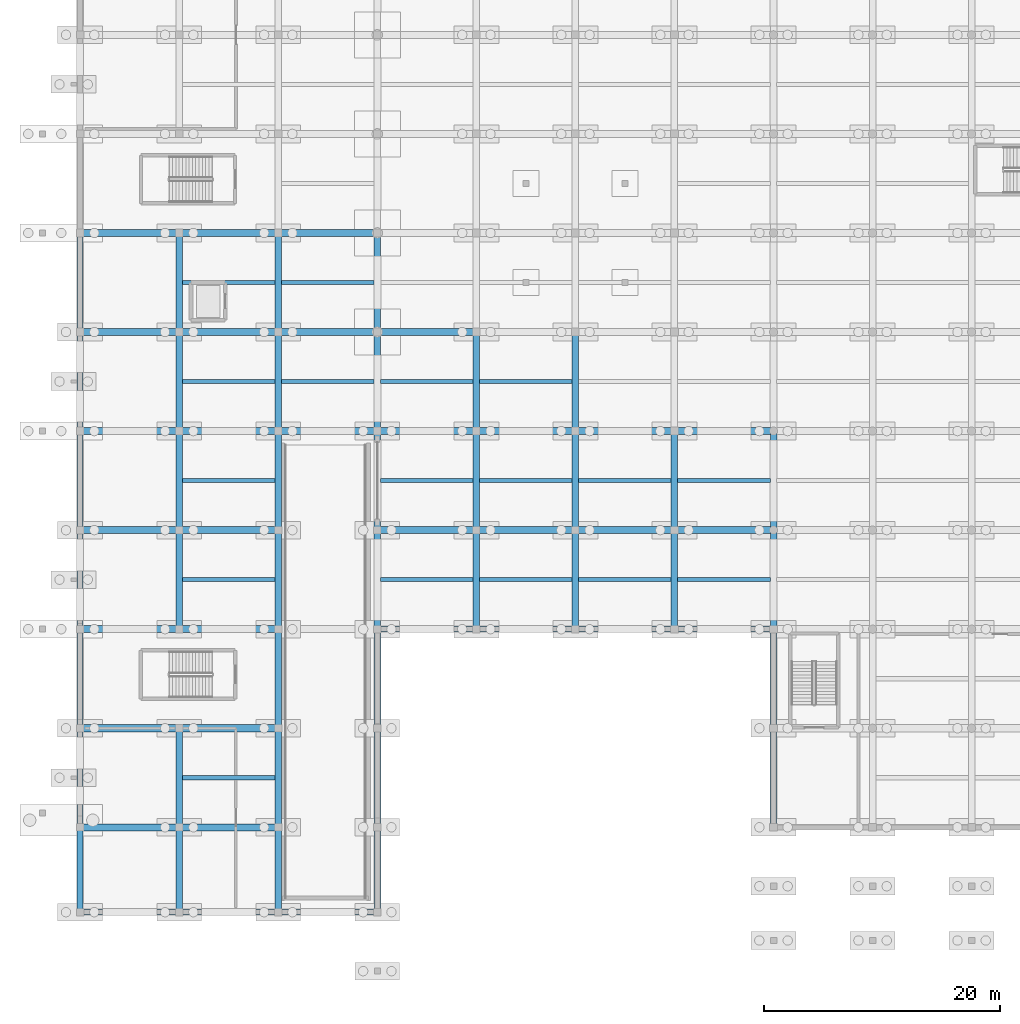
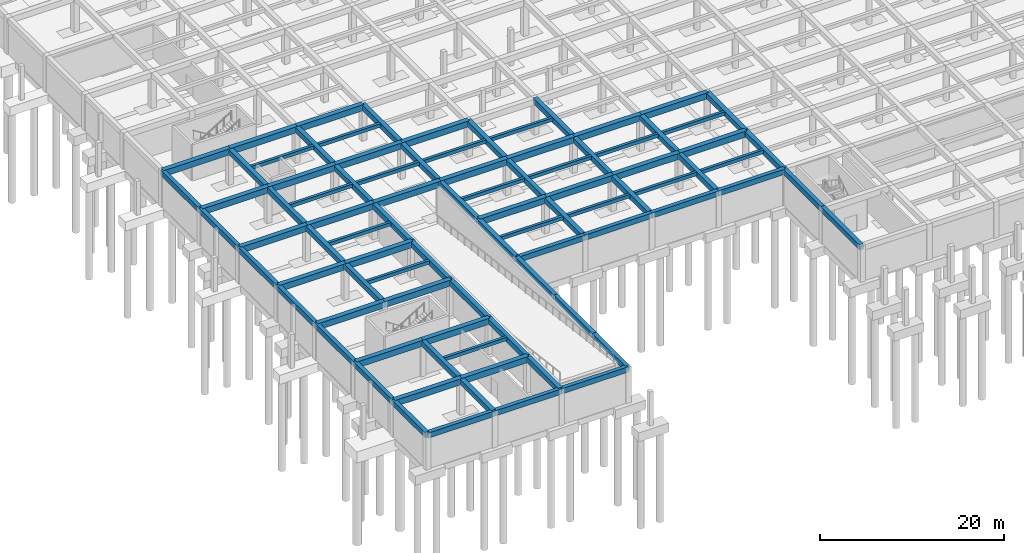
# One storey, part 15 of 51: 89 beams.
"""IFC4 building model written with IfcOpenShell, lengths in metres."""

import ifcopenshell
import ifcopenshell.guid

model = None  # the IFC model being written
_history = None  # IfcOwnerHistory: only IFC2X3 demands one
_inside = {}  # id of a spatial element -> (the spatial element, [elements in it])
_under = {}  # id of a project, library or spatial element -> (it, [spatial elements below it])
_declared = {}  # id of a project -> (the project, [libraries it declares])
_typed = {}  # id of a type object -> (the type object, [elements of that type])
_made_of = {}  # id of a material, layer set ... -> (it, [elements and type objects made of it])


def new_model(schema):
    """Start an empty IFC model of exactly this schema.

    Asked for "IFC4X3", IfcOpenShell would pick the latest addendum, in which some entities
    have other attributes; the version numbers below select the first issue.
    IFC2X3 requires an IfcOwnerHistory on every rooted entity: one is made here for all.
    """
    global model, _history
    if schema == "IFC4X3":
        model = ifcopenshell.file(schema_version=(4, 3, 0, 0))
    else:
        model = ifcopenshell.file(schema=schema)
    _inside.clear()
    _under.clear()
    _declared.clear()
    _typed.clear()
    _made_of.clear()
    _history = None
    if model.schema == "IFC2X3":
        org = make("IfcOrganization", Name="unknown")
        user = make(
            "IfcPersonAndOrganization",
            ThePerson=make("IfcPerson", FamilyName="unknown"),
            TheOrganization=org,
        )
        app = make(
            "IfcApplication",
            ApplicationDeveloper=org,
            Version="unknown",
            ApplicationFullName="unknown",
            ApplicationIdentifier="unknown",
        )
        _history = make(
            "IfcOwnerHistory",
            OwningUser=user,
            OwningApplication=app,
            ChangeAction="ADDED",
            CreationDate=0,
        )
    return model


def make(cls, **values):
    """One entity of the class cls with the attributes given. An attribute that is None is left unset."""
    return model.create_entity(
        cls, **{name: value for name, value in values.items() if value is not None}
    )


def rooted(cls, **values):
    """An entity with a GlobalId (a new one), such as an element, a storey or a relation."""
    return make(cls, GlobalId=ifcopenshell.guid.new(), OwnerHistory=_history, **values)


def si_unit(unit_type, name, prefix=None):
    """IfcSIUnit, for example si_unit("LENGTHUNIT", "METRE", prefix="MILLI")."""
    return make("IfcSIUnit", UnitType=unit_type, Prefix=prefix, Name=name)


def assignment(units):
    """IfcUnitAssignment: the units of a project."""
    return None if units is None else make("IfcUnitAssignment", Units=units)


def point(xyz):
    """IfcCartesianPoint."""
    return None if xyz is None else make("IfcCartesianPoint", Coordinates=xyz)


def direction(xyz):
    """IfcDirection."""
    return None if xyz is None else make("IfcDirection", DirectionRatios=xyz)


def frame(location, z_axis=None, x_axis=None):
    """IfcAxis2Placement3D, a coordinate frame: its origin and axes. An axis left out is left unset."""
    return make(
        "IfcAxis2Placement3D",
        Location=point(location),
        Axis=direction(z_axis),
        RefDirection=direction(x_axis),
    )


def frame_2d(location, x_axis=None):
    """IfcAxis2Placement2D, a coordinate frame in the plane: its origin and x axis."""
    return make(
        "IfcAxis2Placement2D", Location=point(location), RefDirection=direction(x_axis)
    )


def origin():
    """The frame at (0, 0, 0) with its axes left unset."""
    return frame((0.0, 0.0, 0.0))


def origin_2d():
    """The frame at (0, 0) in the plane with its x axis left unset."""
    return frame_2d((0.0, 0.0))


def place(relative_to, where):
    """IfcLocalPlacement: puts the frame where relative to a parent placement (None: the world)."""
    return make(
        "IfcLocalPlacement", PlacementRelTo=relative_to, RelativePlacement=where
    )


def context(
    kind, dimensions, precision=None, world=None, true_north=None, identifier=None
):
    """IfcGeometricRepresentationContext, for example the 3D "Model" context."""
    return make(
        "IfcGeometricRepresentationContext",
        ContextIdentifier=identifier,
        ContextType=kind,
        CoordinateSpaceDimension=dimensions,
        Precision=precision,
        WorldCoordinateSystem=world,
        TrueNorth=true_north,
    )


def subcontext(parent, identifier, kind, view, scale=None):
    """IfcGeometricRepresentationSubContext, for example "Body" below "Model"."""
    return make(
        "IfcGeometricRepresentationSubContext",
        ContextIdentifier=identifier,
        ContextType=kind,
        ParentContext=parent,
        TargetScale=scale,
        TargetView=view,
    )


def project(units=None, contexts=None):
    """IfcProject with its units and contexts."""
    return rooted(
        "IfcProject",
        Name="project",
        RepresentationContexts=contexts,
        UnitsInContext=assignment(units),
    )


def spatial(cls, under=None, at=None, **own):
    """A site, building, storey or space (cls), placed at a placement, below another one or the project."""
    s = rooted(cls, ObjectPlacement=at, **own)
    if under is not None:
        _under.setdefault(under.id(), (under, []))[1].append(s)
    return s


def profile(cls, at=None, kind="AREA", **sizes):
    """A parametric profile (cls). Its sizes go by their IFC names, for example OverallWidth=200.0."""
    return make(cls, ProfileType=kind, Position=at, **sizes)


def rectangle(**sizes):
    """IfcRectangleProfileDef."""
    return profile("IfcRectangleProfileDef", **sizes)


def extrude(swept, where, along, depth):
    """IfcExtrudedAreaSolid: the profile swept, set in the frame where, extruded along a direction by depth."""
    return make(
        "IfcExtrudedAreaSolid",
        SweptArea=swept,
        Position=where,
        ExtrudedDirection=direction(along),
        Depth=depth,
    )


def shape(context_of_items, identifier, shape_type, items):
    """IfcShapeRepresentation: the items that make up one representation, for example the "Body"."""
    return make(
        "IfcShapeRepresentation",
        ContextOfItems=context_of_items,
        RepresentationIdentifier=identifier,
        RepresentationType=shape_type,
        Items=items,
    )


def material(Name=None, Category=None):
    """IfcMaterial."""
    return make("IfcMaterial", Name=Name, Category=Category)


def material_profile(
    of_material, cross_section, Name=None, Category=None, Priority=None
):
    """IfcMaterialProfile: a cross section and its material."""
    return make(
        "IfcMaterialProfile",
        Name=Name,
        Material=of_material,
        Profile=cross_section,
        Priority=Priority,
        Category=Category,
    )


def profile_set(profiles, Name=None, composite=None):
    """IfcMaterialProfileSet."""
    return make(
        "IfcMaterialProfileSet",
        Name=Name,
        MaterialProfiles=profiles,
        CompositeProfile=composite,
    )


def made_of(thing, what):
    """Note that an element or type object is made of a material, layer set ...; save() writes the relation."""
    if what is not None:
        _made_of.setdefault(what.id(), (what, []))[1].append(thing)
    return thing


def type_object(cls, material=None, **own):
    """A type object (cls), such as IfcWallType, which elements share."""
    return made_of(rooted(cls, **own), material)


def element(
    cls,
    number,
    at=None,
    inside=None,
    cuts=None,
    type_object=None,
    material=None,
    context=None,
    identifier="Body",
    shape_type=None,
    held_by="IfcProductDefinitionShape",
    body=None,
    shapes=None,
    **own,
):
    """One element of the class cls, such as IfcWall. Its Tag is "e" and its number.

    at: its placement. inside: the storey or other place that contains it. cuts: it is an
    opening in that element (IfcRelVoidsElement). A single representation is given by context,
    identifier, shape_type and body (its items); several are given by shapes. held_by: the class
    of the entity that holds the representations. save() writes the other relations.
    """
    e = rooted(cls, Tag="e%d" % number, ObjectPlacement=at, **own)
    if body is not None:
        shapes = [shape(context, identifier, shape_type, body)]
    if shapes is not None:
        e.Representation = make(held_by, Representations=shapes)
    if inside is not None:
        _inside.setdefault(inside.id(), (inside, []))[1].append(e)
    if cuts is not None:
        rooted(
            "IfcRelVoidsElement", RelatingBuildingElement=cuts, RelatedOpeningElement=e
        )
    if type_object is not None:
        _typed.setdefault(type_object.id(), (type_object, []))[1].append(e)
    return made_of(e, material)


def aggregate(whole, parts):
    """IfcRelAggregates: a whole, such as a stair, and the parts it consists of."""
    return rooted("IfcRelAggregates", RelatingObject=whole, RelatedObjects=parts)


def save(model, path):
    """Write the relations noted so far, then the file.

    IfcRelAggregates (storeys below a building ...), IfcRelContainedInSpatialStructure (elements
    in a storey), IfcRelDefinesByType, IfcRelAssociatesMaterial and IfcRelDeclares: one each for
    every whole, place, type object, material and project.
    """
    for whole, parts in _under.values():
        aggregate(whole, parts)
    for where, things in _inside.values():
        rooted(
            "IfcRelContainedInSpatialStructure",
            RelatedElements=things,
            RelatingStructure=where,
        )
    for kind, things in _typed.values():
        rooted("IfcRelDefinesByType", RelatedObjects=things, RelatingType=kind)
    for what, things in _made_of.values():
        rooted("IfcRelAssociatesMaterial", RelatedObjects=things, RelatingMaterial=what)
    for by, libraries in _declared.values():
        rooted("IfcRelDeclares", RelatingContext=by, RelatedDefinitions=libraries)
    model.write(path)


model = new_model("IFC4")

# Units and contexts
model_context = context("Model", 3, precision=1e-05, world=origin(), true_north=direction((0.0, 1.0)))
body_context = subcontext(model_context, "Body", "Model", "MODEL_VIEW")
ifc_project = project(units=[si_unit("LENGTHUNIT", "METRE"), si_unit("AREAUNIT", "SQUARE_METRE"), si_unit("VOLUMEUNIT", "CUBIC_METRE"), si_unit("PLANEANGLEUNIT", "RADIAN"), si_unit("MASSUNIT", "GRAM", prefix="KILO")], contexts=[model_context])

# Site, building, storey
site_placement = place(None, origin())
site = spatial("IfcSite", under=ifc_project, at=site_placement, CompositionType="ELEMENT")
building_placement = place(site_placement, origin())
building = spatial("IfcBuilding", under=site, at=building_placement, Name="Varncliffe General Hospital", CompositionType="ELEMENT")
storey_placement = place(building_placement, frame((0.0, 0.0, -4.800048828125)))
storey = spatial("IfcBuildingStorey", under=building, at=storey_placement, Name="B1", CompositionType="ELEMENT", Elevation=-4.800048828125)

# Beams
ifc_material = material(Name="Concrete C35/45 (CSA A23.1 35 MPa)", Category="concrete")
ifc_material_profile_1 = material_profile(ifc_material, rectangle(XDim=0.550048828125, YDim=0.699951171875, at=origin_2d()), Name="RC 550x700")
ifc_profile_set_1 = profile_set([ifc_material_profile_1], Name="Concrete C35/45 (CSA A23.1 35 MPa)")
beam_type_1 = type_object("IfcBeamType", Name="Beam B35 (Int RC 550x700)", PredefinedType="BEAM", material=ifc_profile_set_1)
beam_1_placement = place(storey_placement, frame((8.39990234375, 0.0, 4.449951171875), z_axis=(0.0, 1.0, 0.0), x_axis=(-1.0, 0.0, 0.0)))
element("IfcBeam", 1, at=beam_1_placement, inside=storey, type_object=beam_type_1, Name="B1 Primary Beam B35-339", PredefinedType="BEAM", context=body_context, shape_type="SweptSolid", body=[
    extrude(rectangle(XDim=0.550048828125, YDim=0.699951171875, at=origin_2d()), origin(), (0.0, 0.0, 1.0), 7.199951171875),
])
beam_2_placement = place(storey_placement, frame((8.39990234375, 7.199951171875, 4.449951171875), z_axis=(0.0, 1.0, 0.0), x_axis=(-1.0, 0.0, 0.0)))
element("IfcBeam", 2, at=beam_2_placement, inside=storey, type_object=beam_type_1, Name="B1 Primary Beam B35-340", PredefinedType="BEAM", context=body_context, shape_type="SweptSolid", body=[
    extrude(rectangle(XDim=0.550048828125, YDim=0.699951171875, at=origin_2d()), origin(), (0.0, 0.0, 1.0), 8.400146484375),
])
beam_3_placement = place(storey_placement, frame((8.39990234375, 24.0, 4.449951171875), z_axis=(0.0, 1.0, 0.0), x_axis=(-1.0, 0.0, 0.0)))
element("IfcBeam", 3, at=beam_3_placement, inside=storey, type_object=beam_type_1, Name="B1 Primary Beam B35-341", PredefinedType="BEAM", context=body_context, shape_type="SweptSolid", body=[
    extrude(rectangle(XDim=0.550048828125, YDim=0.699951171875, at=origin_2d()), origin(), (0.0, 0.0, 1.0), 8.39990234375),
])
beam_4_placement = place(storey_placement, frame((8.39990234375, 32.39990234375, 4.449951171875), z_axis=(0.0, 1.0, 0.0), x_axis=(-1.0, 0.0, 0.0)))
element("IfcBeam", 4, at=beam_4_placement, inside=storey, type_object=beam_type_1, Name="B1 Primary Beam B35-342", PredefinedType="BEAM", context=body_context, shape_type="SweptSolid", body=[
    extrude(rectangle(XDim=0.550048828125, YDim=0.699951171875, at=origin_2d()), origin(), (0.0, 0.0, 1.0), 8.400146484375),
])
beam_5_placement = place(storey_placement, frame((8.39990234375, 40.800048828125, 4.449951171875), z_axis=(0.0, 1.0, 0.0), x_axis=(-1.0, 0.0, 0.0)))
element("IfcBeam", 5, at=beam_5_placement, inside=storey, type_object=beam_type_1, Name="B1 Primary Beam B35-343", PredefinedType="BEAM", context=body_context, shape_type="SweptSolid", body=[
    extrude(rectangle(XDim=0.550048828125, YDim=0.699951171875, at=origin_2d()), origin(), (0.0, 0.0, 1.0), 8.39990234375),
])
beam_6_placement = place(storey_placement, frame((8.39990234375, 49.199951171875, 4.449951171875), z_axis=(0.0, 1.0, 0.0), x_axis=(-1.0, 0.0, 0.0)))
element("IfcBeam", 6, at=beam_6_placement, inside=storey, type_object=beam_type_1, Name="B1 Primary Beam B35-344", PredefinedType="BEAM", context=body_context, shape_type="SweptSolid", body=[
    extrude(rectangle(XDim=0.550048828125, YDim=0.699951171875, at=origin_2d()), origin(), (0.0, 0.0, 1.0), 8.400146484375),
])
beam_7_placement = place(storey_placement, frame((16.800048828125, 0.0, 4.449951171875), z_axis=(0.0, 1.0, 0.0), x_axis=(-1.0, 0.0, 0.0)))
element("IfcBeam", 7, at=beam_7_placement, inside=storey, type_object=beam_type_1, Name="B1 Primary Beam B35-354", PredefinedType="BEAM", context=body_context, shape_type="SweptSolid", body=[
    extrude(rectangle(XDim=0.550048828125, YDim=0.699951171875, at=origin_2d()), origin(), (0.0, 0.0, 1.0), 7.199951171875),
])
beam_8_placement = place(storey_placement, frame((16.800048828125, 7.199951171875, 4.449951171875), z_axis=(0.0, 1.0, 0.0), x_axis=(-1.0, 0.0, 0.0)))
element("IfcBeam", 8, at=beam_8_placement, inside=storey, type_object=beam_type_1, Name="B1 Primary Beam B35-355", PredefinedType="BEAM", context=body_context, shape_type="SweptSolid", body=[
    extrude(rectangle(XDim=0.550048828125, YDim=0.699951171875, at=origin_2d()), origin(), (0.0, 0.0, 1.0), 8.400146484375),
])
for number, where, z_axis, x_axis, name in (
    (9, (16.800048828125, 15.60009765625, 4.449951171875), (0.0, 1.0, 0.0), (-1.0, 0.0, 0.0), "B1 Primary Beam B35-356"),
    (10, (16.800048828125, 24.0, 4.449951171875), (0.0, 1.0, 0.0), (-1.0, 0.0, 0.0), "B1 Primary Beam B35-357"),
):
    element("IfcBeam", number, at=place(storey_placement, frame(where, z_axis=z_axis, x_axis=x_axis)), inside=storey, type_object=beam_type_1, Name=name, PredefinedType="BEAM", context=body_context, shape_type="SweptSolid", body=[
        extrude(rectangle(XDim=0.550048828125, YDim=0.699951171875, at=origin_2d()), origin(), (0.0, 0.0, 1.0), 8.39990234375),
    ])
beam_9_placement = place(storey_placement, frame((16.800048828125, 32.39990234375, 4.449951171875), z_axis=(0.0, 1.0, 0.0), x_axis=(-1.0, 0.0, 0.0)))
element("IfcBeam", 11, at=beam_9_placement, inside=storey, type_object=beam_type_1, Name="B1 Primary Beam B35-358", PredefinedType="BEAM", context=body_context, shape_type="SweptSolid", body=[
    extrude(rectangle(XDim=0.550048828125, YDim=0.699951171875, at=origin_2d()), origin(), (0.0, 0.0, 1.0), 8.400146484375),
])
beam_10_placement = place(storey_placement, frame((16.800048828125, 40.800048828125, 4.449951171875), z_axis=(0.0, 1.0, 0.0), x_axis=(-1.0, 0.0, 0.0)))
element("IfcBeam", 12, at=beam_10_placement, inside=storey, type_object=beam_type_1, Name="B1 Primary Beam B35-359", PredefinedType="BEAM", context=body_context, shape_type="SweptSolid", body=[
    extrude(rectangle(XDim=0.550048828125, YDim=0.699951171875, at=origin_2d()), origin(), (0.0, 0.0, 1.0), 8.39990234375),
])
beam_11_placement = place(storey_placement, frame((16.800048828125, 49.199951171875, 4.449951171875), z_axis=(0.0, 1.0, 0.0), x_axis=(-1.0, 0.0, 0.0)))
element("IfcBeam", 13, at=beam_11_placement, inside=storey, type_object=beam_type_1, Name="B1 Primary Beam B35-360", PredefinedType="BEAM", context=body_context, shape_type="SweptSolid", body=[
    extrude(rectangle(XDim=0.550048828125, YDim=0.699951171875, at=origin_2d()), origin(), (0.0, 0.0, 1.0), 8.400146484375),
])
beam_12_placement = place(storey_placement, frame((25.199951171875, 24.0, 4.449951171875), z_axis=(0.0, 1.0, 0.0), x_axis=(-1.0, 0.0, 0.0)))
element("IfcBeam", 14, at=beam_12_placement, inside=storey, type_object=beam_type_1, Name="B1 Primary Beam B35-374", PredefinedType="BEAM", context=body_context, shape_type="SweptSolid", body=[
    extrude(rectangle(XDim=0.550048828125, YDim=0.699951171875, at=origin_2d()), origin(), (0.0, 0.0, 1.0), 8.39990234375),
])
beam_13_placement = place(storey_placement, frame((25.199951171875, 32.39990234375, 4.449951171875), z_axis=(0.0, 1.0, 0.0), x_axis=(-1.0, 0.0, 0.0)))
element("IfcBeam", 15, at=beam_13_placement, inside=storey, type_object=beam_type_1, Name="B1 Primary Beam B35-375", PredefinedType="BEAM", context=body_context, shape_type="SweptSolid", body=[
    extrude(rectangle(XDim=0.550048828125, YDim=0.699951171875, at=origin_2d()), origin(), (0.0, 0.0, 1.0), 8.400146484375),
])
beam_14_placement = place(storey_placement, frame((25.199951171875, 40.800048828125, 4.449951171875), z_axis=(0.0, 1.0, 0.0), x_axis=(-1.0, 0.0, 0.0)))
element("IfcBeam", 16, at=beam_14_placement, inside=storey, type_object=beam_type_1, Name="B1 Primary Beam B35-376", PredefinedType="BEAM", context=body_context, shape_type="SweptSolid", body=[
    extrude(rectangle(XDim=0.550048828125, YDim=0.699951171875, at=origin_2d()), origin(), (0.0, 0.0, 1.0), 8.39990234375),
])
beam_15_placement = place(storey_placement, frame((25.199951171875, 49.199951171875, 4.449951171875), z_axis=(0.0, 1.0, 0.0), x_axis=(-1.0, 0.0, 0.0)))
element("IfcBeam", 17, at=beam_15_placement, inside=storey, type_object=beam_type_1, Name="B1 Primary Beam B35-377", PredefinedType="BEAM", context=body_context, shape_type="SweptSolid", body=[
    extrude(rectangle(XDim=0.550048828125, YDim=0.699951171875, at=origin_2d()), origin(), (0.0, 0.0, 1.0), 8.400146484375),
])
beam_16_placement = place(storey_placement, frame((33.60009765625, 24.0, 4.449951171875), z_axis=(0.0, 1.0, 0.0), x_axis=(-1.0, 0.0, 0.0)))
element("IfcBeam", 18, at=beam_16_placement, inside=storey, type_object=beam_type_1, Name="B1 Primary Beam B35-388", PredefinedType="BEAM", context=body_context, shape_type="SweptSolid", body=[
    extrude(rectangle(XDim=0.550048828125, YDim=0.699951171875, at=origin_2d()), origin(), (0.0, 0.0, 1.0), 8.39990234375),
])
beam_17_placement = place(storey_placement, frame((33.60009765625, 32.39990234375, 4.449951171875), z_axis=(0.0, 1.0, 0.0), x_axis=(-1.0, 0.0, 0.0)))
element("IfcBeam", 19, at=beam_17_placement, inside=storey, type_object=beam_type_1, Name="B1 Primary Beam B35-389", PredefinedType="BEAM", context=body_context, shape_type="SweptSolid", body=[
    extrude(rectangle(XDim=0.550048828125, YDim=0.699951171875, at=origin_2d()), origin(), (0.0, 0.0, 1.0), 8.400146484375),
])
for number, where, z_axis, x_axis, name in (
    (20, (33.60009765625, 40.800048828125, 4.449951171875), (0.0, 1.0, 0.0), (-1.0, 0.0, 0.0), "B1 Primary Beam B35-390"),
    (21, (42.0, 24.0, 4.449951171875), (0.0, 1.0, 0.0), (-1.0, 0.0, 0.0), "B1 Primary Beam B35-402"),
):
    element("IfcBeam", number, at=place(storey_placement, frame(where, z_axis=z_axis, x_axis=x_axis)), inside=storey, type_object=beam_type_1, Name=name, PredefinedType="BEAM", context=body_context, shape_type="SweptSolid", body=[
        extrude(rectangle(XDim=0.550048828125, YDim=0.699951171875, at=origin_2d()), origin(), (0.0, 0.0, 1.0), 8.39990234375),
    ])
beam_18_placement = place(storey_placement, frame((42.0, 32.39990234375, 4.449951171875), z_axis=(0.0, 1.0, 0.0), x_axis=(-1.0, 0.0, 0.0)))
element("IfcBeam", 22, at=beam_18_placement, inside=storey, type_object=beam_type_1, Name="B1 Primary Beam B35-403", PredefinedType="BEAM", context=body_context, shape_type="SweptSolid", body=[
    extrude(rectangle(XDim=0.550048828125, YDim=0.699951171875, at=origin_2d()), origin(), (0.0, 0.0, 1.0), 8.400146484375),
])
for number, where, z_axis, x_axis, name in (
    (23, (42.0, 40.800048828125, 4.449951171875), (0.0, 1.0, 0.0), (-1.0, 0.0, 0.0), "B1 Primary Beam B35-404"),
    (24, (50.39990234375, 24.0, 4.449951171875), (0.0, 1.0, 0.0), (-1.0, 0.0, 0.0), "B1 Primary Beam B35-416"),
):
    element("IfcBeam", number, at=place(storey_placement, frame(where, z_axis=z_axis, x_axis=x_axis)), inside=storey, type_object=beam_type_1, Name=name, PredefinedType="BEAM", context=body_context, shape_type="SweptSolid", body=[
        extrude(rectangle(XDim=0.550048828125, YDim=0.699951171875, at=origin_2d()), origin(), (0.0, 0.0, 1.0), 8.39990234375),
    ])
beam_19_placement = place(storey_placement, frame((50.39990234375, 32.39990234375, 4.449951171875), z_axis=(0.0, 1.0, 0.0), x_axis=(-1.0, 0.0, 0.0)))
element("IfcBeam", 25, at=beam_19_placement, inside=storey, type_object=beam_type_1, Name="B1 Primary Beam B35-417", PredefinedType="BEAM", context=body_context, shape_type="SweptSolid", body=[
    extrude(rectangle(XDim=0.550048828125, YDim=0.699951171875, at=origin_2d()), origin(), (0.0, 0.0, 1.0), 8.400146484375),
])
beam_20_placement = place(storey_placement, frame((58.800048828125, 24.0, 4.449951171875), z_axis=(0.0, 1.0, 0.0), x_axis=(-1.0, 0.0, 0.0)))
element("IfcBeam", 26, at=beam_20_placement, inside=storey, type_object=beam_type_1, Name="B1 Primary Beam B35-432", PredefinedType="BEAM", context=body_context, shape_type="SweptSolid", body=[
    extrude(rectangle(XDim=0.550048828125, YDim=0.699951171875, at=origin_2d()), origin(), (0.0, 0.0, 1.0), 8.39990234375),
])
beam_21_placement = place(storey_placement, frame((58.800048828125, 32.39990234375, 4.449951171875), z_axis=(0.0, 1.0, 0.0), x_axis=(-1.0, 0.0, 0.0)))
element("IfcBeam", 27, at=beam_21_placement, inside=storey, type_object=beam_type_1, Name="B1 Primary Beam B35-433", PredefinedType="BEAM", context=body_context, shape_type="SweptSolid", body=[
    extrude(rectangle(XDim=0.550048828125, YDim=0.699951171875, at=origin_2d()), origin(), (0.0, 0.0, 1.0), 8.400146484375),
])
ifc_material_profile_2 = material_profile(ifc_material, rectangle(XDim=0.60009765625, YDim=0.800048828125, at=origin_2d()), Name="RC 600x800")
ifc_profile_set_2 = profile_set([ifc_material_profile_2], Name="Concrete C35/45 (CSA A23.1 35 MPa)")
beam_type_2 = type_object("IfcBeamType", Name="Beam B40 (Int RC 600x800)", PredefinedType="BEAM", material=ifc_profile_set_2)
beam_22_placement = place(storey_placement, frame((0.0, 7.199951171875, 4.400146484375), z_axis=(1.0, 0.0, 0.0), x_axis=(0.0, 1.0, 0.0)))
element("IfcBeam", 28, at=beam_22_placement, inside=storey, type_object=beam_type_2, Name="B1 Primary Beam B40-7", PredefinedType="BEAM", context=body_context, shape_type="SweptSolid", body=[
    extrude(rectangle(XDim=0.60009765625, YDim=0.800048828125, at=origin_2d()), origin(), (0.0, 0.0, 1.0), 8.39990234375),
])
beam_23_placement = place(storey_placement, frame((8.39990234375, 7.199951171875, 4.400146484375), z_axis=(1.0, 0.0, 0.0), x_axis=(0.0, 1.0, 0.0)))
element("IfcBeam", 29, at=beam_23_placement, inside=storey, type_object=beam_type_2, Name="B1 Primary Beam B40-8", PredefinedType="BEAM", context=body_context, shape_type="SweptSolid", body=[
    extrude(rectangle(XDim=0.60009765625, YDim=0.800048828125, at=origin_2d()), origin(), (0.0, 0.0, 1.0), 8.400146484375),
])
beam_24_placement = place(storey_placement, frame((0.0, 15.60009765625, 4.400146484375), z_axis=(1.0, 0.0, 0.0), x_axis=(0.0, 1.0, 0.0)))
element("IfcBeam", 30, at=beam_24_placement, inside=storey, type_object=beam_type_2, Name="B1 Primary Beam B40-19", PredefinedType="BEAM", context=body_context, shape_type="SweptSolid", body=[
    extrude(rectangle(XDim=0.60009765625, YDim=0.800048828125, at=origin_2d()), origin(), (0.0, 0.0, 1.0), 8.39990234375),
])
beam_25_placement = place(storey_placement, frame((8.39990234375, 15.60009765625, 4.400146484375), z_axis=(1.0, 0.0, 0.0), x_axis=(0.0, 1.0, 0.0)))
element("IfcBeam", 31, at=beam_25_placement, inside=storey, type_object=beam_type_2, Name="B1 Primary Beam B40-20", PredefinedType="BEAM", context=body_context, shape_type="SweptSolid", body=[
    extrude(rectangle(XDim=0.60009765625, YDim=0.800048828125, at=origin_2d()), origin(), (0.0, 0.0, 1.0), 8.400146484375),
])
beam_26_placement = place(storey_placement, frame((0.0, 24.0, 4.400146484375), z_axis=(1.0, 0.0, 0.0), x_axis=(0.0, 1.0, 0.0)))
element("IfcBeam", 32, at=beam_26_placement, inside=storey, type_object=beam_type_2, Name="B1 Primary Beam B40-31", PredefinedType="BEAM", context=body_context, shape_type="SweptSolid", body=[
    extrude(rectangle(XDim=0.60009765625, YDim=0.800048828125, at=origin_2d()), origin(), (0.0, 0.0, 1.0), 8.39990234375),
])
beam_27_placement = place(storey_placement, frame((8.39990234375, 24.0, 4.400146484375), z_axis=(1.0, 0.0, 0.0), x_axis=(0.0, 1.0, 0.0)))
element("IfcBeam", 33, at=beam_27_placement, inside=storey, type_object=beam_type_2, Name="B1 Primary Beam B40-32", PredefinedType="BEAM", context=body_context, shape_type="SweptSolid", body=[
    extrude(rectangle(XDim=0.60009765625, YDim=0.800048828125, at=origin_2d()), origin(), (0.0, 0.0, 1.0), 8.400146484375),
])
beam_28_placement = place(storey_placement, frame((0.0, 32.39990234375, 4.400146484375), z_axis=(1.0, 0.0, 0.0), x_axis=(0.0, 1.0, 0.0)))
element("IfcBeam", 34, at=beam_28_placement, inside=storey, type_object=beam_type_2, Name="B1 Primary Beam B40-51", PredefinedType="BEAM", context=body_context, shape_type="SweptSolid", body=[
    extrude(rectangle(XDim=0.60009765625, YDim=0.800048828125, at=origin_2d()), origin(), (0.0, 0.0, 1.0), 8.39990234375),
])
for number, where, z_axis, x_axis, name in (
    (35, (8.39990234375, 32.39990234375, 4.400146484375), (1.0, 0.0, 0.0), (0.0, 1.0, 0.0), "B1 Primary Beam B40-52"),
    (36, (25.199951171875, 32.39990234375, 4.400146484375), (1.0, 0.0, 0.0), (0.0, 1.0, 0.0), "B1 Primary Beam B40-53"),
):
    element("IfcBeam", number, at=place(storey_placement, frame(where, z_axis=z_axis, x_axis=x_axis)), inside=storey, type_object=beam_type_2, Name=name, PredefinedType="BEAM", context=body_context, shape_type="SweptSolid", body=[
        extrude(rectangle(XDim=0.60009765625, YDim=0.800048828125, at=origin_2d()), origin(), (0.0, 0.0, 1.0), 8.400146484375),
    ])
for number, where, z_axis, x_axis, name in (
    (37, (33.60009765625, 32.39990234375, 4.400146484375), (1.0, 0.0, 0.0), (0.0, 1.0, 0.0), "B1 Primary Beam B40-54"),
    (38, (42.0, 32.39990234375, 4.400146484375), (1.0, 0.0, 0.0), (0.0, 1.0, 0.0), "B1 Primary Beam B40-55"),
):
    element("IfcBeam", number, at=place(storey_placement, frame(where, z_axis=z_axis, x_axis=x_axis)), inside=storey, type_object=beam_type_2, Name=name, PredefinedType="BEAM", context=body_context, shape_type="SweptSolid", body=[
        extrude(rectangle(XDim=0.60009765625, YDim=0.800048828125, at=origin_2d()), origin(), (0.0, 0.0, 1.0), 8.39990234375),
    ])
beam_29_placement = place(storey_placement, frame((50.39990234375, 32.39990234375, 4.400146484375), z_axis=(1.0, 0.0, 0.0), x_axis=(0.0, 1.0, 0.0)))
element("IfcBeam", 39, at=beam_29_placement, inside=storey, type_object=beam_type_2, Name="B1 Primary Beam B40-56", PredefinedType="BEAM", context=body_context, shape_type="SweptSolid", body=[
    extrude(rectangle(XDim=0.60009765625, YDim=0.800048828125, at=origin_2d()), origin(), (0.0, 0.0, 1.0), 8.400146484375),
])
beam_30_placement = place(storey_placement, frame((0.0, 40.800048828125, 4.400146484375), z_axis=(1.0, 0.0, 0.0), x_axis=(0.0, 1.0, 0.0)))
element("IfcBeam", 40, at=beam_30_placement, inside=storey, type_object=beam_type_2, Name="B1 Primary Beam B40-70", PredefinedType="BEAM", context=body_context, shape_type="SweptSolid", body=[
    extrude(rectangle(XDim=0.60009765625, YDim=0.800048828125, at=origin_2d()), origin(), (0.0, 0.0, 1.0), 8.39990234375),
])
beam_31_placement = place(storey_placement, frame((8.39990234375, 40.800048828125, 4.400146484375), z_axis=(1.0, 0.0, 0.0), x_axis=(0.0, 1.0, 0.0)))
element("IfcBeam", 41, at=beam_31_placement, inside=storey, type_object=beam_type_2, Name="B1 Primary Beam B40-71", PredefinedType="BEAM", context=body_context, shape_type="SweptSolid", body=[
    extrude(rectangle(XDim=0.60009765625, YDim=0.800048828125, at=origin_2d()), origin(), (0.0, 0.0, 1.0), 8.400146484375),
])
beam_32_placement = place(storey_placement, frame((16.800048828125, 40.800048828125, 4.400146484375), z_axis=(1.0, 0.0, 0.0), x_axis=(0.0, 1.0, 0.0)))
element("IfcBeam", 42, at=beam_32_placement, inside=storey, type_object=beam_type_2, Name="B1 Primary Beam B40-72", PredefinedType="BEAM", context=body_context, shape_type="SweptSolid", body=[
    extrude(rectangle(XDim=0.60009765625, YDim=0.800048828125, at=origin_2d()), origin(), (0.0, 0.0, 1.0), 8.39990234375),
])
beam_33_placement = place(storey_placement, frame((25.199951171875, 40.800048828125, 4.400146484375), z_axis=(1.0, 0.0, 0.0), x_axis=(0.0, 1.0, 0.0)))
element("IfcBeam", 43, at=beam_33_placement, inside=storey, type_object=beam_type_2, Name="B1 Primary Beam B40-73", PredefinedType="BEAM", context=body_context, shape_type="SweptSolid", body=[
    extrude(rectangle(XDim=0.60009765625, YDim=0.800048828125, at=origin_2d()), origin(), (0.0, 0.0, 1.0), 8.400146484375),
])
for number, where, z_axis, x_axis, name in (
    (44, (33.60009765625, 40.800048828125, 4.400146484375), (1.0, 0.0, 0.0), (0.0, 1.0, 0.0), "B1 Primary Beam B40-74"),
    (45, (42.0, 40.800048828125, 4.400146484375), (1.0, 0.0, 0.0), (0.0, 1.0, 0.0), "B1 Primary Beam B40-75"),
):
    element("IfcBeam", number, at=place(storey_placement, frame(where, z_axis=z_axis, x_axis=x_axis)), inside=storey, type_object=beam_type_2, Name=name, PredefinedType="BEAM", context=body_context, shape_type="SweptSolid", body=[
        extrude(rectangle(XDim=0.60009765625, YDim=0.800048828125, at=origin_2d()), origin(), (0.0, 0.0, 1.0), 8.39990234375),
    ])
beam_34_placement = place(storey_placement, frame((50.39990234375, 40.800048828125, 4.400146484375), z_axis=(1.0, 0.0, 0.0), x_axis=(0.0, 1.0, 0.0)))
element("IfcBeam", 46, at=beam_34_placement, inside=storey, type_object=beam_type_2, Name="B1 Primary Beam B40-76", PredefinedType="BEAM", context=body_context, shape_type="SweptSolid", body=[
    extrude(rectangle(XDim=0.60009765625, YDim=0.800048828125, at=origin_2d()), origin(), (0.0, 0.0, 1.0), 8.400146484375),
])
beam_35_placement = place(storey_placement, frame((0.0, 49.199951171875, 4.400146484375), z_axis=(1.0, 0.0, 0.0), x_axis=(0.0, 1.0, 0.0)))
element("IfcBeam", 47, at=beam_35_placement, inside=storey, type_object=beam_type_2, Name="B1 Primary Beam B40-91", PredefinedType="BEAM", context=body_context, shape_type="SweptSolid", body=[
    extrude(rectangle(XDim=0.60009765625, YDim=0.800048828125, at=origin_2d()), origin(), (0.0, 0.0, 1.0), 8.39990234375),
])
beam_36_placement = place(storey_placement, frame((8.39990234375, 49.199951171875, 4.400146484375), z_axis=(1.0, 0.0, 0.0), x_axis=(0.0, 1.0, 0.0)))
element("IfcBeam", 48, at=beam_36_placement, inside=storey, type_object=beam_type_2, Name="B1 Primary Beam B40-92", PredefinedType="BEAM", context=body_context, shape_type="SweptSolid", body=[
    extrude(rectangle(XDim=0.60009765625, YDim=0.800048828125, at=origin_2d()), origin(), (0.0, 0.0, 1.0), 8.400146484375),
])
beam_37_placement = place(storey_placement, frame((16.800048828125, 49.199951171875, 4.400146484375), z_axis=(1.0, 0.0, 0.0), x_axis=(0.0, 1.0, 0.0)))
element("IfcBeam", 49, at=beam_37_placement, inside=storey, type_object=beam_type_2, Name="B1 Primary Beam B40-93", PredefinedType="BEAM", context=body_context, shape_type="SweptSolid", body=[
    extrude(rectangle(XDim=0.60009765625, YDim=0.800048828125, at=origin_2d()), origin(), (0.0, 0.0, 1.0), 8.39990234375),
])
beam_38_placement = place(storey_placement, frame((25.199951171875, 49.199951171875, 4.400146484375), z_axis=(1.0, 0.0, 0.0), x_axis=(0.0, 1.0, 0.0)))
element("IfcBeam", 50, at=beam_38_placement, inside=storey, type_object=beam_type_2, Name="B1 Primary Beam B40-94", PredefinedType="BEAM", context=body_context, shape_type="SweptSolid", body=[
    extrude(rectangle(XDim=0.60009765625, YDim=0.800048828125, at=origin_2d()), origin(), (0.0, 0.0, 1.0), 8.400146484375),
])
beam_39_placement = place(storey_placement, frame((0.0, 57.60009765625, 4.400146484375), z_axis=(1.0, 0.0, 0.0), x_axis=(0.0, 1.0, 0.0)))
element("IfcBeam", 51, at=beam_39_placement, inside=storey, type_object=beam_type_2, Name="B1 Primary Beam B40-112", PredefinedType="BEAM", context=body_context, shape_type="SweptSolid", body=[
    extrude(rectangle(XDim=0.60009765625, YDim=0.800048828125, at=origin_2d()), origin(), (0.0, 0.0, 1.0), 8.39990234375),
])
beam_40_placement = place(storey_placement, frame((8.39990234375, 57.60009765625, 4.400146484375), z_axis=(1.0, 0.0, 0.0), x_axis=(0.0, 1.0, 0.0)))
element("IfcBeam", 52, at=beam_40_placement, inside=storey, type_object=beam_type_2, Name="B1 Primary Beam B40-113", PredefinedType="BEAM", context=body_context, shape_type="SweptSolid", body=[
    extrude(rectangle(XDim=0.60009765625, YDim=0.800048828125, at=origin_2d()), origin(), (0.0, 0.0, 1.0), 8.400146484375),
])
beam_41_placement = place(storey_placement, frame((16.800048828125, 57.60009765625, 4.400146484375), z_axis=(1.0, 0.0, 0.0), x_axis=(0.0, 1.0, 0.0)))
element("IfcBeam", 53, at=beam_41_placement, inside=storey, type_object=beam_type_2, Name="B1 Primary Beam B40-114", PredefinedType="BEAM", context=body_context, shape_type="SweptSolid", body=[
    extrude(rectangle(XDim=0.60009765625, YDim=0.800048828125, at=origin_2d()), origin(), (0.0, 0.0, 1.0), 8.39990234375),
])
ifc_material_profile_3 = material_profile(ifc_material, rectangle(XDim=0.35009765625, YDim=0.449951171875, at=origin_2d()), Name="RC 350x450")
ifc_profile_set_3 = profile_set([ifc_material_profile_3], Name="Concrete C35/45 (CSA A23.1 35 MPa)")
beam_type_3 = type_object("IfcBeamType", Name="Joist J55 (Int RC 350x450)", PredefinedType="JOIST", material=ifc_profile_set_3)
for number, where, z_axis, x_axis, name in (
    (54, (8.673095703125, 11.39990234375, 4.574951171875), (1.0, 0.0, 0.0), (0.0, 1.0, 0.0), "B1 Secondary Floor Rib J55-1"),
    (55, (8.673095703125, 28.199951171875, 4.574951171875), (1.0, 0.0, 0.0), (0.0, 1.0, 0.0), "B1 Secondary Floor Rib J55-2"),
    (56, (8.673095703125, 36.60009765625, 4.574951171875), (1.0, 0.0, 0.0), (0.0, 1.0, 0.0), "B1 Secondary Floor Rib J55-3"),
    (57, (8.673095703125, 45.0, 4.574951171875), (1.0, 0.0, 0.0), (0.0, 1.0, 0.0), "B1 Secondary Floor Rib J55-4"),
    (58, (8.673095703125, 53.39990234375, 4.574951171875), (1.0, 0.0, 0.0), (0.0, 1.0, 0.0), "B1 Secondary Floor Rib J55-5"),
    (59, (17.072998046875, 45.0, 4.574951171875), (1.0, 0.0, 0.0), (0.0, 1.0, 0.0), "B1 Secondary Floor Rib J55-10"),
    (60, (17.072998046875, 53.39990234375, 4.574951171875), (1.0, 0.0, 0.0), (0.0, 1.0, 0.0), "B1 Secondary Floor Rib J55-11"),
    (61, (25.472900390625, 28.199951171875, 4.574951171875), (1.0, 0.0, 0.0), (0.0, 1.0, 0.0), "B1 Secondary Floor Rib J55-17"),
    (62, (25.472900390625, 36.60009765625, 4.574951171875), (1.0, 0.0, 0.0), (0.0, 1.0, 0.0), "B1 Secondary Floor Rib J55-18"),
    (63, (25.472900390625, 45.0, 4.574951171875), (1.0, 0.0, 0.0), (0.0, 1.0, 0.0), "B1 Secondary Floor Rib J55-19"),
    (64, (33.873046875, 28.199951171875, 4.574951171875), (1.0, 0.0, 0.0), (0.0, 1.0, 0.0), "B1 Secondary Floor Rib J55-25"),
    (65, (33.873046875, 36.60009765625, 4.574951171875), (1.0, 0.0, 0.0), (0.0, 1.0, 0.0), "B1 Secondary Floor Rib J55-26"),
    (66, (33.873046875, 45.0, 4.574951171875), (1.0, 0.0, 0.0), (0.0, 1.0, 0.0), "B1 Secondary Floor Rib J55-27"),
    (67, (42.27294921875, 28.199951171875, 4.574951171875), (1.0, 0.0, 0.0), (0.0, 1.0, 0.0), "B1 Secondary Floor Rib J55-32"),
    (68, (42.27294921875, 36.60009765625, 4.574951171875), (1.0, 0.0, 0.0), (0.0, 1.0, 0.0), "B1 Secondary Floor Rib J55-33"),
    (69, (50.673095703125, 28.199951171875, 4.574951171875), (1.0, 0.0, 0.0), (0.0, 1.0, 0.0), "B1 Secondary Floor Rib J55-40"),
    (70, (50.673095703125, 36.60009765625, 4.574951171875), (1.0, 0.0, 0.0), (0.0, 1.0, 0.0), "B1 Secondary Floor Rib J55-41"),
):
    element("IfcBeam", number, at=place(storey_placement, frame(where, z_axis=z_axis, x_axis=x_axis)), inside=storey, type_object=beam_type_3, Name=name, PredefinedType="JOIST", context=body_context, shape_type="SweptSolid", body=[
        extrude(rectangle(XDim=0.35009765625, YDim=0.449951171875, at=origin_2d()), origin(), (0.0, 0.0, 1.0), 7.85400390625),
    ])
ifc_material_profile_4 = material_profile(ifc_material, rectangle(XDim=0.5, YDim=0.699951171875, at=origin_2d()), Name="RC 500x700")
ifc_profile_set_4 = profile_set([ifc_material_profile_4], Name="Concrete C35/45 (CSA A23.1 35 MPa)")
beam_type_4 = type_object("IfcBeamType", Name="Spandrel SP19 (Ext RC 500x700)", PredefinedType="SPANDREL", material=ifc_profile_set_4)
beam_42_placement = place(storey_placement, frame((0.0, 0.0, 4.449951171875), z_axis=(1.0, 0.0, 0.0), x_axis=(0.0, 1.0, 0.0)))
element("IfcBeam", 71, at=beam_42_placement, inside=storey, type_object=beam_type_4, Name="B1 Spandrel Beam SP19-1", PredefinedType="SPANDREL", context=body_context, shape_type="SweptSolid", body=[
    extrude(rectangle(XDim=0.5, YDim=0.699951171875, at=origin_2d()), origin(), (0.0, 0.0, 1.0), 8.39990234375),
])
beam_43_placement = place(storey_placement, frame((8.39990234375, 0.0, 4.449951171875), z_axis=(1.0, 0.0, 0.0), x_axis=(0.0, 1.0, 0.0)))
element("IfcBeam", 72, at=beam_43_placement, inside=storey, type_object=beam_type_4, Name="B1 Spandrel Beam SP19-2", PredefinedType="SPANDREL", context=body_context, shape_type="SweptSolid", body=[
    extrude(rectangle(XDim=0.5, YDim=0.699951171875, at=origin_2d()), origin(), (0.0, 0.0, 1.0), 8.400146484375),
])
beam_44_placement = place(storey_placement, frame((16.800048828125, 0.0, 4.449951171875), z_axis=(1.0, 0.0, 0.0), x_axis=(0.0, 1.0, 0.0)))
element("IfcBeam", 73, at=beam_44_placement, inside=storey, type_object=beam_type_4, Name="B1 Spandrel Beam SP19-3", PredefinedType="SPANDREL", context=body_context, shape_type="SweptSolid", body=[
    extrude(rectangle(XDim=0.5, YDim=0.699951171875, at=origin_2d()), origin(), (0.0, 0.0, 1.0), 8.39990234375),
])
beam_45_placement = place(storey_placement, frame((25.199951171875, 24.0, 4.449951171875), z_axis=(1.0, 0.0, 0.0), x_axis=(0.0, 1.0, 0.0)))
element("IfcBeam", 74, at=beam_45_placement, inside=storey, type_object=beam_type_4, Name="B1 Spandrel Beam SP19-33", PredefinedType="SPANDREL", context=body_context, shape_type="SweptSolid", body=[
    extrude(rectangle(XDim=0.5, YDim=0.699951171875, at=origin_2d()), origin(), (0.0, 0.0, 1.0), 8.400146484375),
])
for number, where, z_axis, x_axis, name in (
    (75, (33.60009765625, 24.0, 4.449951171875), (1.0, 0.0, 0.0), (0.0, 1.0, 0.0), "B1 Spandrel Beam SP19-34"),
    (76, (42.0, 24.0, 4.449951171875), (1.0, 0.0, 0.0), (0.0, 1.0, 0.0), "B1 Spandrel Beam SP19-35"),
):
    element("IfcBeam", number, at=place(storey_placement, frame(where, z_axis=z_axis, x_axis=x_axis)), inside=storey, type_object=beam_type_4, Name=name, PredefinedType="SPANDREL", context=body_context, shape_type="SweptSolid", body=[
        extrude(rectangle(XDim=0.5, YDim=0.699951171875, at=origin_2d()), origin(), (0.0, 0.0, 1.0), 8.39990234375),
    ])
beam_46_placement = place(storey_placement, frame((50.39990234375, 24.0, 4.449951171875), z_axis=(1.0, 0.0, 0.0), x_axis=(0.0, 1.0, 0.0)))
element("IfcBeam", 77, at=beam_46_placement, inside=storey, type_object=beam_type_4, Name="B1 Spandrel Beam SP19-36", PredefinedType="SPANDREL", context=body_context, shape_type="SweptSolid", body=[
    extrude(rectangle(XDim=0.5, YDim=0.699951171875, at=origin_2d()), origin(), (0.0, 0.0, 1.0), 8.400146484375),
])
beam_47_placement = place(storey_placement, frame((0.0, 0.0, 4.449951171875), z_axis=(0.0, 1.0, 0.0), x_axis=(-1.0, 0.0, 0.0)))
element("IfcBeam", 78, at=beam_47_placement, inside=storey, type_object=beam_type_4, Name="B1 Spandrel Beam SP19-322", PredefinedType="SPANDREL", context=body_context, shape_type="SweptSolid", body=[
    extrude(rectangle(XDim=0.5, YDim=0.699951171875, at=origin_2d()), origin(), (0.0, 0.0, 1.0), 7.199951171875),
])
beam_48_placement = place(storey_placement, frame((0.0, 7.199951171875, 4.449951171875), z_axis=(0.0, 1.0, 0.0), x_axis=(-1.0, 0.0, 0.0)))
element("IfcBeam", 79, at=beam_48_placement, inside=storey, type_object=beam_type_4, Name="B1 Spandrel Beam SP19-323", PredefinedType="SPANDREL", context=body_context, shape_type="SweptSolid", body=[
    extrude(rectangle(XDim=0.5, YDim=0.699951171875, at=origin_2d()), origin(), (0.0, 0.0, 1.0), 8.400146484375),
])
for number, where, z_axis, x_axis, name in (
    (80, (0.0, 15.60009765625, 4.449951171875), (0.0, 1.0, 0.0), (-1.0, 0.0, 0.0), "B1 Spandrel Beam SP19-324"),
    (81, (0.0, 24.0, 4.449951171875), (0.0, 1.0, 0.0), (-1.0, 0.0, 0.0), "B1 Spandrel Beam SP19-325"),
):
    element("IfcBeam", number, at=place(storey_placement, frame(where, z_axis=z_axis, x_axis=x_axis)), inside=storey, type_object=beam_type_4, Name=name, PredefinedType="SPANDREL", context=body_context, shape_type="SweptSolid", body=[
        extrude(rectangle(XDim=0.5, YDim=0.699951171875, at=origin_2d()), origin(), (0.0, 0.0, 1.0), 8.39990234375),
    ])
beam_49_placement = place(storey_placement, frame((0.0, 32.39990234375, 4.449951171875), z_axis=(0.0, 1.0, 0.0), x_axis=(-1.0, 0.0, 0.0)))
element("IfcBeam", 82, at=beam_49_placement, inside=storey, type_object=beam_type_4, Name="B1 Spandrel Beam SP19-326", PredefinedType="SPANDREL", context=body_context, shape_type="SweptSolid", body=[
    extrude(rectangle(XDim=0.5, YDim=0.699951171875, at=origin_2d()), origin(), (0.0, 0.0, 1.0), 8.400146484375),
])
beam_50_placement = place(storey_placement, frame((0.0, 40.800048828125, 4.449951171875), z_axis=(0.0, 1.0, 0.0), x_axis=(-1.0, 0.0, 0.0)))
element("IfcBeam", 83, at=beam_50_placement, inside=storey, type_object=beam_type_4, Name="B1 Spandrel Beam SP19-327", PredefinedType="SPANDREL", context=body_context, shape_type="SweptSolid", body=[
    extrude(rectangle(XDim=0.5, YDim=0.699951171875, at=origin_2d()), origin(), (0.0, 0.0, 1.0), 8.39990234375),
])
beam_51_placement = place(storey_placement, frame((0.0, 49.199951171875, 4.449951171875), z_axis=(0.0, 1.0, 0.0), x_axis=(-1.0, 0.0, 0.0)))
element("IfcBeam", 84, at=beam_51_placement, inside=storey, type_object=beam_type_4, Name="B1 Spandrel Beam SP19-328", PredefinedType="SPANDREL", context=body_context, shape_type="SweptSolid", body=[
    extrude(rectangle(XDim=0.5, YDim=0.699951171875, at=origin_2d()), origin(), (0.0, 0.0, 1.0), 8.400146484375),
])
beam_52_placement = place(storey_placement, frame((25.199951171875, 0.0, 4.449951171875), z_axis=(0.0, 1.0, 0.0), x_axis=(-1.0, 0.0, 0.0)))
element("IfcBeam", 85, at=beam_52_placement, inside=storey, type_object=beam_type_4, Name="B1 Spandrel Beam SP19-371", PredefinedType="SPANDREL", context=body_context, shape_type="SweptSolid", body=[
    extrude(rectangle(XDim=0.5, YDim=0.699951171875, at=origin_2d()), origin(), (0.0, 0.0, 1.0), 7.199951171875),
])
beam_53_placement = place(storey_placement, frame((25.199951171875, 7.199951171875, 4.449951171875), z_axis=(0.0, 1.0, 0.0), x_axis=(-1.0, 0.0, 0.0)))
element("IfcBeam", 86, at=beam_53_placement, inside=storey, type_object=beam_type_4, Name="B1 Spandrel Beam SP19-372", PredefinedType="SPANDREL", context=body_context, shape_type="SweptSolid", body=[
    extrude(rectangle(XDim=0.5, YDim=0.699951171875, at=origin_2d()), origin(), (0.0, 0.0, 1.0), 8.400146484375),
])
beam_54_placement = place(storey_placement, frame((25.199951171875, 15.60009765625, 4.449951171875), z_axis=(0.0, 1.0, 0.0), x_axis=(-1.0, 0.0, 0.0)))
element("IfcBeam", 87, at=beam_54_placement, inside=storey, type_object=beam_type_4, Name="B1 Spandrel Beam SP19-373", PredefinedType="SPANDREL", context=body_context, shape_type="SweptSolid", body=[
    extrude(rectangle(XDim=0.5, YDim=0.699951171875, at=origin_2d()), origin(), (0.0, 0.0, 1.0), 8.39990234375),
])
beam_55_placement = place(storey_placement, frame((58.800048828125, 7.199951171875, 4.449951171875), z_axis=(0.0, 1.0, 0.0), x_axis=(-1.0, 0.0, 0.0)))
element("IfcBeam", 88, at=beam_55_placement, inside=storey, type_object=beam_type_4, Name="B1 Spandrel Beam SP19-430", PredefinedType="SPANDREL", context=body_context, shape_type="SweptSolid", body=[
    extrude(rectangle(XDim=0.5, YDim=0.699951171875, at=origin_2d()), origin(), (0.0, 0.0, 1.0), 8.400146484375),
])
beam_56_placement = place(storey_placement, frame((58.800048828125, 15.60009765625, 4.449951171875), z_axis=(0.0, 1.0, 0.0), x_axis=(-1.0, 0.0, 0.0)))
element("IfcBeam", 89, at=beam_56_placement, inside=storey, type_object=beam_type_4, Name="B1 Spandrel Beam SP19-431", PredefinedType="SPANDREL", context=body_context, shape_type="SweptSolid", body=[
    extrude(rectangle(XDim=0.5, YDim=0.699951171875, at=origin_2d()), origin(), (0.0, 0.0, 1.0), 8.39990234375),
])

save(model, "model.ifc")
